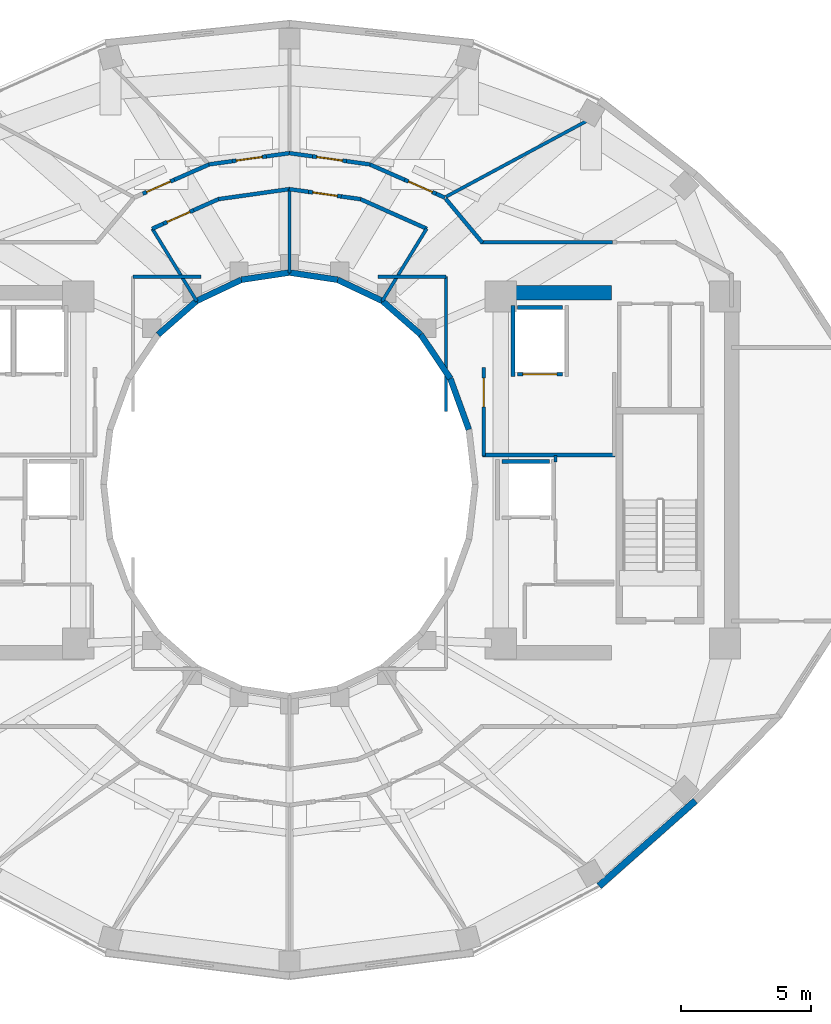
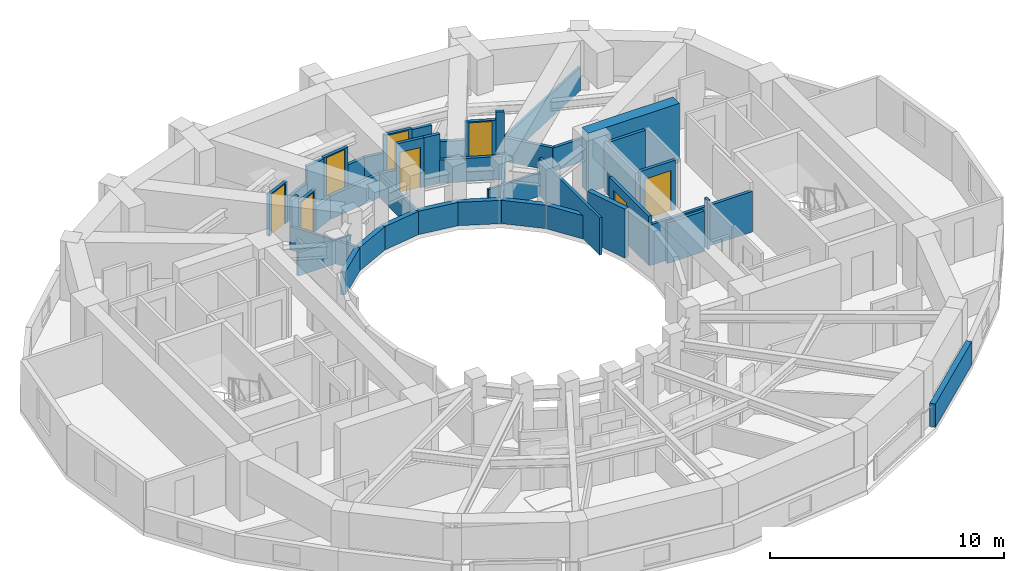
# One storey, part 13 of 17: 45 walls, 8 doors, 8 openings.
"""IFC4 building model written with IfcOpenShell, lengths in metres."""

from ifc_helpers import new_model, si_unit, direction, frame, frame_2d, origin, place, context, subcontext, project, spatial, rectangle, extrude, material, layer, layer_set, type_object, element, fill, save


model = new_model("IFC4")

# Units and contexts
model_context = context("Model", 3, precision=1e-05, world=origin(), true_north=direction((0.0, 1.0)))
body_context = subcontext(model_context, "Body", "Model", "MODEL_VIEW")
ifc_project = project(units=[si_unit("LENGTHUNIT", "METRE"), si_unit("AREAUNIT", "SQUARE_METRE"), si_unit("VOLUMEUNIT", "CUBIC_METRE"), si_unit("PLANEANGLEUNIT", "RADIAN"), si_unit("MASSUNIT", "GRAM", prefix="KILO")], contexts=[model_context])

# Site, building, storey
site_placement = place(None, origin())
site = spatial("IfcSite", under=ifc_project, at=site_placement, CompositionType="ELEMENT")
building_placement = place(site_placement, origin())
building = spatial("IfcBuilding", under=site, at=building_placement, Name="Solvane Sanctuary Tower", CompositionType="ELEMENT")
storey_placement = place(building_placement, frame((0.0, 0.0, 235.699951171875)))
storey = spatial("IfcBuildingStorey", under=building, at=storey_placement, Name="L72", CompositionType="ELEMENT", Elevation=235.699951171875)

# Walls
ifc_material_1 = material(Name="Concrete C50/60", Category="concrete")
ifc_layer_1 = layer(ifc_material_1, 0.550048828125, Name="Concrete C50/60")
ifc_layer_set_1 = layer_set([ifc_layer_1], Name="Concrete C50/60")
wall_type_1 = type_object("IfcWallType", Name="Wall W-CORE-550", PredefinedType="SHEAR", material=ifc_layer_set_1)
wall_1_placement = place(storey_placement, frame((39.85009765625, 30.35009765625, 0.0), z_axis=(0.0, 0.0, 1.0), x_axis=(1.0, 0.0, 0.0)))
element("IfcWall", 1, at=wall_1_placement, inside=storey, type_object=wall_type_1, Name="L72 Core Shear Wall EC-N", PredefinedType="SHEAR", context=body_context, shape_type="SweptSolid", body=[
    extrude(rectangle(XDim=4.5, YDim=0.550048828125, at=frame_2d((2.25, 0.0))), origin(), (0.0, 0.0, 1.0), 3.10009765625),
])
ifc_material_2 = material(Name="Acoustic Gypsum Partition Board")
ifc_layer_2 = layer(ifc_material_2, 0.14990234375, Name="Acoustic Gypsum Partition Board")
ifc_layer_set_2 = layer_set([ifc_layer_2], Name="Acoustic Gypsum Partition Board")
wall_type_2 = type_object("IfcWallType", Name="Wall W-CORR-150", PredefinedType="PARTITIONING", material=ifc_layer_set_2)
wall_2_placement = place(storey_placement, frame((39.39990234375, 24.1201171875, 0.0), z_axis=(0.0, 0.0, 1.0), x_axis=(1.0, 0.0, 0.0)))
element("IfcWall", 2, at=wall_2_placement, inside=storey, type_object=wall_type_2, Name="L72 East Firefighting Lobby South Wall", PredefinedType="PARTITIONING", context=body_context, shape_type="SweptSolid", body=[
    extrude(rectangle(XDim=5.080078125, YDim=0.14990234375, at=frame_2d((2.5400390625, 0.0))), origin(), (0.0, 0.0, 1.0), 2.1201171875),
])

# Wall, opening, door
wall_3_placement = place(storey_placement, frame((39.449951171875, 24.080078125, 0.0), z_axis=(0.0, 0.0, 1.0), x_axis=(0.0, 1.0, 0.0)))
wall_3 = element("IfcWall", 3, at=wall_3_placement, inside=storey, type_object=wall_type_2, Name="L72 East Firefighting Lobby West Wall", PredefinedType="PARTITIONING", context=body_context, shape_type="SweptSolid", body=[
    extrude(rectangle(XDim=3.39990234375, YDim=0.14990234375, at=frame_2d((1.699951171875, 0.0))), origin(), (0.0, 0.0, 1.0), 2.574951171875),
])
opening_1_placement = place(wall_3_placement, frame((1.893798828125, 0.0, 0.0)))
opening_1 = element("IfcOpeningElement", 4, at=opening_1_placement, cuts=wall_3, Name="Opening D-L72-04", PredefinedType="OPENING", context=body_context, shape_type="SweptSolid", body=[
    extrude(rectangle(XDim=1.10009765625, YDim=2.10009765625, at=frame_2d((0.550048828125, 1.050048828125))), frame((0.0, 0.0849609375, 0.0), z_axis=(0.0, -1.0, 0.0), x_axis=(1.0, 0.0, 0.0)), (0.0, 0.0, 1.0), 0.169921875),
])
ifc_material_3 = material(Name="Architectural Stainless Steel 316", Category="steel")
door_type_1 = type_object("IfcDoorType", Name="Door D-FFL", OperationType="NOTDEFINED", PredefinedType="DOOR", material=ifc_material_3)
door_1_placement = place(opening_1_placement, origin())
door_1 = element("IfcDoor", 5, at=door_1_placement, inside=storey, type_object=door_type_1, Name="L72 East Firefighting Lobby Fire Door", OperationType="SINGLE_SWING_RIGHT", OverallHeight=2.10009765625, OverallWidth=1.10009765625, PredefinedType="DOOR", context=body_context, shape_type="SweptSolid", body=[
    extrude(rectangle(XDim=1.10009765625, YDim=2.10009765625, at=frame_2d((0.550048828125, 1.050048828125))), frame((0.0, 0.02490234375, 0.0), z_axis=(0.0, -1.0, 0.0), x_axis=(1.0, 0.0, 0.0)), (0.0, 0.0, 1.0), 0.050048828125),
])
fill(opening_1, door_1)

# Walls
wall_4_placement = place(storey_placement, frame((37.265380859375, 32.797607421875, 0.0), z_axis=(0.0, 0.0, 1.0), x_axis=(-0.913254317828, 0.407389924971, 0.0)))
element("IfcWall", 6, at=wall_4_placement, inside=storey, type_object=wall_type_2, Name="L72 Light-Well Alcove Corridor Wall 1", PredefinedType="PARTITIONING", context=body_context, shape_type="SweptSolid", body=[
    extrude(rectangle(XDim=2.78662109375, YDim=0.14990234375, at=frame_2d((1.393310546875, 0.0))), origin(), (0.0, 0.0, 1.0), 1.219970703125),
])
wall_5_placement = place(storey_placement, frame((34.72412109375, 33.931884765625, 0.0), z_axis=(0.0, 0.0, 1.0), x_axis=(-0.990190745647, 0.13972217875, 0.0)))
element("IfcWall", 7, at=wall_5_placement, inside=storey, type_object=wall_type_2, Name="L72 Light-Well Alcove Corridor Wall 1", PredefinedType="PARTITIONING", context=body_context, shape_type="SweptSolid", body=[
    extrude(rectangle(XDim=0.744384765625, YDim=0.14990234375, at=frame_2d((0.3720703125, 0.0))), origin(), (0.0, 0.0, 1.0), 2.574951171875),
])

# Wall, opening, door
wall_6_placement = place(storey_placement, frame((33.987060546875, 34.035888671875, 0.0), z_axis=(0.0, 0.0, 1.0), x_axis=(-0.990133183593, 0.140129507055, 0.0)))
wall_6 = element("IfcWall", 8, at=wall_6_placement, inside=storey, type_object=wall_type_2, Name="L72 Light-Well Alcove Corridor Wall 1", PredefinedType="PARTITIONING", context=body_context, shape_type="SweptSolid", body=[
    extrude(rectangle(XDim=1.27001953125, YDim=0.14990234375, at=frame_2d((0.635009765625, 0.0))), origin(), (0.0, 0.0, 1.0), 2.574951171875),
])
opening_2_placement = place(wall_6_placement, frame((0.159912109375, 0.0, 0.0)))
opening_2 = element("IfcOpeningElement", 9, at=opening_2_placement, cuts=wall_6, Name="Opening D-L72-13", PredefinedType="OPENING", context=body_context, shape_type="SweptSolid", body=[
    extrude(rectangle(XDim=0.949951171875, YDim=2.10009765625, at=frame_2d((0.47509765625, 1.050048828125))), frame((0.0, 0.0849609375, 0.0), z_axis=(0.0, -1.0, 0.0), x_axis=(1.0, 0.0, 0.0)), (0.0, 0.0, 1.0), 0.169921875),
])
ifc_material_4 = material(Name="Engineered Tropical Hardwood", Category="wood")
door_type_2 = type_object("IfcDoorType", Name="Door D-ROOM-950", OperationType="NOTDEFINED", PredefinedType="DOOR", material=ifc_material_4)
door_2_placement = place(opening_2_placement, origin())
door_2 = element("IfcDoor", 10, at=door_2_placement, inside=storey, type_object=door_type_2, Name="L72 Light-Well Alcove Door 1", OperationType="SINGLE_SWING_LEFT", OverallHeight=2.10009765625, OverallWidth=0.949951171875, PredefinedType="DOOR", context=body_context, shape_type="SweptSolid", body=[
    extrude(rectangle(XDim=0.949951171875, YDim=2.10009765625, at=frame_2d((0.47509765625, 1.050048828125))), frame((0.0, 0.02490234375, 0.0), z_axis=(0.0, -1.0, 0.0), x_axis=(1.0, 0.0, 0.0)), (0.0, 0.0, 1.0), 0.050048828125),
])
fill(opening_2, door_2)

# Walls
wall_7_placement = place(storey_placement, frame((32.7294921875, 34.2138671875, 0.0), z_axis=(0.0, 0.0, 1.0), x_axis=(-0.990138882688, 0.140089232242, 0.0)))
element("IfcWall", 11, at=wall_7_placement, inside=storey, type_object=wall_type_2, Name="L72 Light-Well Alcove Corridor Wall 1", PredefinedType="PARTITIONING", context=body_context, shape_type="SweptSolid", body=[
    extrude(rectangle(XDim=0.744140625, YDim=0.14990234375, at=frame_2d((0.3720703125, 0.0))), origin(), (0.0, 0.0, 1.0), 1.219970703125),
])
wall_8_placement = place(storey_placement, frame((32.00732421875, 34.318115234375, 0.0), z_axis=(0.0, 0.0, 1.0), x_axis=(-0.990150268487, -0.140008734782, 0.0)))
element("IfcWall", 12, at=wall_8_placement, inside=storey, type_object=wall_type_2, Name="L72 Light-Well Alcove Corridor Wall 2", PredefinedType="PARTITIONING", context=body_context, shape_type="SweptSolid", body=[
    extrude(rectangle(XDim=2.758544921875, YDim=0.14990234375, at=frame_2d((1.37939453125, 0.0))), origin(), (0.0, 0.0, 1.0), 1.219970703125),
])
wall_9_placement = place(storey_placement, frame((29.279541015625, 33.932861328125, 0.0), z_axis=(0.0, 0.0, 1.0), x_axis=(-0.913260714955, -0.407375584099, 0.0)))
element("IfcWall", 13, at=wall_9_placement, inside=storey, type_object=wall_type_2, Name="L72 Light-Well Alcove Corridor Wall 2", PredefinedType="PARTITIONING", context=body_context, shape_type="SweptSolid", body=[
    extrude(rectangle(XDim=1.04345703125, YDim=0.14990234375, at=frame_2d((0.521728515625, 0.0))), origin(), (0.0, 0.0, 1.0), 1.219970703125),
])

# Wall, opening, door
wall_10_placement = place(storey_placement, frame((28.32666015625, 33.5078125, 0.0), z_axis=(0.0, 0.0, 1.0), x_axis=(-0.913279660534, -0.40733310896, 0.0)))
wall_10 = element("IfcWall", 14, at=wall_10_placement, inside=storey, type_object=wall_type_2, Name="L72 Light-Well Alcove Corridor Wall 2", PredefinedType="PARTITIONING", context=body_context, shape_type="SweptSolid", body=[
    extrude(rectangle(XDim=1.27001953125, YDim=0.14990234375, at=frame_2d((0.635009765625, 0.0))), origin(), (0.0, 0.0, 1.0), 2.16015625),
])
opening_3_placement = place(wall_10_placement, frame((0.159912109375, 0.0, 0.0)))
opening_3 = element("IfcOpeningElement", 15, at=opening_3_placement, cuts=wall_10, Name="Opening D-L72-14", PredefinedType="OPENING", context=body_context, shape_type="SweptSolid", body=[
    extrude(rectangle(XDim=0.949951171875, YDim=2.10009765625, at=frame_2d((0.47509765625, 1.050048828125))), frame((0.0, 0.0849609375, 0.0), z_axis=(0.0, -1.0, 0.0), x_axis=(1.0, 0.0, 0.0)), (0.0, 0.0, 1.0), 0.169921875),
])
door_3_placement = place(opening_3_placement, origin())
door_3 = element("IfcDoor", 16, at=door_3_placement, inside=storey, type_object=door_type_2, Name="L72 Light-Well Alcove Door 2", OperationType="SINGLE_SWING_RIGHT", OverallHeight=2.10009765625, OverallWidth=0.949951171875, PredefinedType="DOOR", context=body_context, shape_type="SweptSolid", body=[
    extrude(rectangle(XDim=0.949951171875, YDim=2.10009765625, at=frame_2d((0.47509765625, 1.050048828125))), frame((0.0, 0.02490234375, 0.0), z_axis=(0.0, -1.0, 0.0), x_axis=(1.0, 0.0, 0.0)), (0.0, 0.0, 1.0), 0.050048828125),
])
fill(opening_3, door_3)

# Walls
wall_11_placement = place(storey_placement, frame((27.166748046875, 32.990478515625, 0.0), z_axis=(0.0, 0.0, 1.0), x_axis=(-0.913172173043, -0.407574020737, 0.0)))
element("IfcWall", 17, at=wall_11_placement, inside=storey, type_object=wall_type_2, Name="L72 Light-Well Alcove Corridor Wall 2", PredefinedType="PARTITIONING", context=body_context, shape_type="SweptSolid", body=[
    extrude(rectangle(XDim=0.47314453125, YDim=0.14990234375, at=frame_2d((0.236572265625, 0.0))), origin(), (0.0, 0.0, 1.0), 2.574951171875),
])
wall_12_placement = place(storey_placement, frame((37.984130859375, 33.95458984375, 0.0), z_axis=(0.0, 0.0, 1.0), x_axis=(0.64030392053, -0.76812166312, 0.0)))
element("IfcWall", 18, at=wall_12_placement, inside=storey, type_object=wall_type_2, Name="L72 NE Corner Throat Wall", PredefinedType="PARTITIONING", context=body_context, shape_type="SweptSolid", body=[
    extrude(rectangle(XDim=2.2099609375, YDim=0.14990234375, at=frame_2d((1.10498046875, 0.0))), origin(), (0.0, 0.0, 1.0), 1.219970703125),
])
wall_13_placement = place(storey_placement, frame((39.330078125, 32.280029296875, 0.0), z_axis=(0.0, 0.0, 1.0), x_axis=(1.0, 0.0, 0.0)))
element("IfcWall", 19, at=wall_13_placement, inside=storey, type_object=wall_type_2, Name="L72 NE Corner Corridor Wall", PredefinedType="PARTITIONING", context=body_context, shape_type="SweptSolid", body=[
    extrude(rectangle(XDim=5.059814453125, YDim=0.14990234375, at=frame_2d((2.52978515625, 0.0))), origin(), (0.0, 0.0, 1.0), 1.219970703125),
])
wall_14_placement = place(storey_placement, frame((37.956298828125, 33.992431640625, 0.0), z_axis=(0.0, 0.0, 1.0), x_axis=(-0.91474391497, 0.404034119877, 0.0)))
element("IfcWall", 20, at=wall_14_placement, inside=storey, type_object=wall_type_2, Name="L72 Unit Corridor Wall N1", PredefinedType="PARTITIONING", context=body_context, shape_type="SweptSolid", body=[
    extrude(rectangle(XDim=0.3662109375, YDim=0.14990234375, at=frame_2d((0.18310546875, 0.0))), origin(), (0.0, 0.0, 1.0), 2.574951171875),
])

# Wall, opening, door
wall_15_placement = place(storey_placement, frame((37.621337890625, 34.140380859375, 0.0), z_axis=(0.0, 0.0, 1.0), x_axis=(-0.914618215061, 0.404318588094, 0.0)))
wall_15 = element("IfcWall", 21, at=wall_15_placement, inside=storey, type_object=wall_type_2, Name="L72 Unit Corridor Wall N1", PredefinedType="PARTITIONING", context=body_context, shape_type="SweptSolid", body=[
    extrude(rectangle(XDim=1.320068359375, YDim=0.14990234375, at=frame_2d((0.66015625, 0.0))), origin(), (0.0, 0.0, 1.0), 2.16015625),
])
opening_4_placement = place(wall_15_placement, frame((0.159912109375, 0.0, 0.0)))
opening_4 = element("IfcOpeningElement", 22, at=opening_4_placement, cuts=wall_15, Name="Opening D-L72-23", PredefinedType="OPENING", context=body_context, shape_type="SweptSolid", body=[
    extrude(rectangle(XDim=1.0, YDim=2.10009765625, at=frame_2d((0.5, 1.050048828125))), frame((0.0, 0.0849609375, 0.0), z_axis=(0.0, -1.0, 0.0), x_axis=(1.0, 0.0, 0.0)), (0.0, 0.0, 1.0), 0.169921875),
])
door_type_3 = type_object("IfcDoorType", Name="Door D-UNIT", OperationType="NOTDEFINED", PredefinedType="DOOR", material=ifc_material_4)
door_4_placement = place(opening_4_placement, origin())
door_4 = element("IfcDoor", 23, at=door_4_placement, inside=storey, type_object=door_type_3, Name="L72 Unit Entrance Door N1", OperationType="SINGLE_SWING_LEFT", OverallHeight=2.10009765625, OverallWidth=1.0, PredefinedType="DOOR", context=body_context, shape_type="SweptSolid", body=[
    extrude(rectangle(XDim=1.0, YDim=2.10009765625, at=frame_2d((0.5, 1.050048828125))), frame((0.0, 0.02490234375, 0.0), z_axis=(0.0, -1.0, 0.0), x_axis=(1.0, 0.0, 0.0)), (0.0, 0.0, 1.0), 0.050048828125),
])
fill(opening_4, door_4)

# Walls
wall_16_placement = place(storey_placement, frame((36.4140625, 34.674072265625, 0.0), z_axis=(0.0, 0.0, 1.0), x_axis=(-0.914639417368, 0.404270622476, 0.0)))
element("IfcWall", 24, at=wall_16_placement, inside=storey, type_object=wall_type_2, Name="L72 Unit Corridor Wall N1", PredefinedType="PARTITIONING", context=body_context, shape_type="SweptSolid", body=[
    extrude(rectangle(XDim=1.468017578125, YDim=0.14990234375, at=frame_2d((0.73388671875, 0.0))), origin(), (0.0, 0.0, 1.0), 1.219970703125),
])
wall_17_placement = place(storey_placement, frame((35.08740234375, 35.262939453125, 0.0), z_axis=(0.0, 0.0, 1.0), x_axis=(-0.990260655864, 0.139225836137, 0.0)))
element("IfcWall", 25, at=wall_17_placement, inside=storey, type_object=wall_type_2, Name="L72 Unit Corridor Wall N2", PredefinedType="PARTITIONING", context=body_context, shape_type="SweptSolid", body=[
    extrude(rectangle(XDim=0.903076171875, YDim=0.14990234375, at=frame_2d((0.45166015625, 0.0))), origin(), (0.0, 0.0, 1.0), 2.10498046875),
])

# Wall, opening, door
wall_18_placement = place(storey_placement, frame((34.193115234375, 35.388671875, 0.0), z_axis=(0.0, 0.0, 1.0), x_axis=(-0.990279679751, 0.139090459315, 0.0)))
wall_18 = element("IfcWall", 26, at=wall_18_placement, inside=storey, type_object=wall_type_2, Name="L72 Unit Corridor Wall N2", PredefinedType="PARTITIONING", context=body_context, shape_type="SweptSolid", body=[
    extrude(rectangle(XDim=1.320068359375, YDim=0.14990234375, at=frame_2d((0.66015625, 0.0))), origin(), (0.0, 0.0, 1.0), 2.16015625),
])
opening_5_placement = place(wall_18_placement, frame((0.159912109375, 0.0, 0.0)))
opening_5 = element("IfcOpeningElement", 27, at=opening_5_placement, cuts=wall_18, Name="Opening D-L72-24", PredefinedType="OPENING", context=body_context, shape_type="SweptSolid", body=[
    extrude(rectangle(XDim=1.0, YDim=2.10009765625, at=frame_2d((0.5, 1.050048828125))), frame((0.0, 0.0849609375, 0.0), z_axis=(0.0, -1.0, 0.0), x_axis=(1.0, 0.0, 0.0)), (0.0, 0.0, 1.0), 0.169921875),
])
door_5_placement = place(opening_5_placement, origin())
door_5 = element("IfcDoor", 28, at=door_5_placement, inside=storey, type_object=door_type_3, Name="L72 Unit Entrance Door N2", OperationType="SINGLE_SWING_RIGHT", OverallHeight=2.10009765625, OverallWidth=1.0, PredefinedType="DOOR", context=body_context, shape_type="SweptSolid", body=[
    extrude(rectangle(XDim=1.0, YDim=2.10009765625, at=frame_2d((0.5, 1.050048828125))), frame((0.0, 0.02490234375, 0.0), z_axis=(0.0, -1.0, 0.0), x_axis=(1.0, 0.0, 0.0)), (0.0, 0.0, 1.0), 0.050048828125),
])
fill(opening_5, door_5)

# Walls
for number, where, z_axis, x_axis, name in (
    (29, (32.885986328125, 35.572265625, 0.0), (0.0, 0.0, 1.0), (-0.990260655864, 0.139225836137, 0.0), "L72 Unit Corridor Wall N2"),
    (30, (32.00830078125, 35.697998046875, 0.0), (0.0, 0.0, 1.0), (-0.990260655864, -0.139225836137, 0.0), "L72 Unit Corridor Wall N3"),
):
    element("IfcWall", number, at=place(storey_placement, frame(where, z_axis=z_axis, x_axis=x_axis)), inside=storey, type_object=wall_type_2, Name=name, PredefinedType="PARTITIONING", context=body_context, shape_type="SweptSolid", body=[
        extrude(rectangle(XDim=0.903076171875, YDim=0.14990234375, at=frame_2d((0.45166015625, 0.0))), origin(), (0.0, 0.0, 1.0), 1.219970703125),
    ])

# Wall, opening, door
wall_19_placement = place(storey_placement, frame((31.114013671875, 35.572265625, 0.0), z_axis=(0.0, 0.0, 1.0), x_axis=(-0.990279679751, -0.139090459315, 0.0)))
wall_19 = element("IfcWall", 31, at=wall_19_placement, inside=storey, type_object=wall_type_2, Name="L72 Unit Corridor Wall N3", PredefinedType="PARTITIONING", context=body_context, shape_type="SweptSolid", body=[
    extrude(rectangle(XDim=1.320068359375, YDim=0.14990234375, at=frame_2d((0.66015625, 0.0))), origin(), (0.0, 0.0, 1.0), 2.16015625),
])
opening_6_placement = place(wall_19_placement, frame((0.159912109375, 0.0, 0.0)))
opening_6 = element("IfcOpeningElement", 32, at=opening_6_placement, cuts=wall_19, Name="Opening D-L72-25", PredefinedType="OPENING", context=body_context, shape_type="SweptSolid", body=[
    extrude(rectangle(XDim=1.0, YDim=2.10009765625, at=frame_2d((0.5, 1.050048828125))), frame((0.0, 0.0849609375, 0.0), z_axis=(0.0, -1.0, 0.0), x_axis=(1.0, 0.0, 0.0)), (0.0, 0.0, 1.0), 0.169921875),
])
door_6_placement = place(opening_6_placement, origin())
door_6 = element("IfcDoor", 33, at=door_6_placement, inside=storey, type_object=door_type_3, Name="L72 Unit Entrance Door N3", OperationType="SINGLE_SWING_LEFT", OverallHeight=2.10009765625, OverallWidth=1.0, PredefinedType="DOOR", context=body_context, shape_type="SweptSolid", body=[
    extrude(rectangle(XDim=1.0, YDim=2.10009765625, at=frame_2d((0.5, 1.050048828125))), frame((0.0, 0.02490234375, 0.0), z_axis=(0.0, -1.0, 0.0), x_axis=(1.0, 0.0, 0.0)), (0.0, 0.0, 1.0), 0.050048828125),
])
fill(opening_6, door_6)

# Walls
wall_20_placement = place(storey_placement, frame((29.806884765625, 35.388671875, 0.0), z_axis=(0.0, 0.0, 1.0), x_axis=(-0.990260655864, -0.139225836137, 0.0)))
element("IfcWall", 34, at=wall_20_placement, inside=storey, type_object=wall_type_2, Name="L72 Unit Corridor Wall N3", PredefinedType="PARTITIONING", context=body_context, shape_type="SweptSolid", body=[
    extrude(rectangle(XDim=0.903076171875, YDim=0.14990234375, at=frame_2d((0.45166015625, 0.0))), origin(), (0.0, 0.0, 1.0), 2.10498046875),
])
wall_21_placement = place(storey_placement, frame((28.9287109375, 35.267578125, 0.0), z_axis=(0.0, 0.0, 1.0), x_axis=(-0.91466659005, -0.404209140231, 0.0)))
element("IfcWall", 35, at=wall_21_placement, inside=storey, type_object=wall_type_2, Name="L72 Unit Corridor Wall N4", PredefinedType="PARTITIONING", context=body_context, shape_type="SweptSolid", body=[
    extrude(rectangle(XDim=1.46826171875, YDim=0.14990234375, at=frame_2d((0.734130859375, 0.0))), origin(), (0.0, 0.0, 1.0), 1.219970703125),
])

# Wall, opening, door
wall_22_placement = place(storey_placement, frame((27.585693359375, 34.674072265625, 0.0), z_axis=(0.0, 0.0, 1.0), x_axis=(-0.914618215061, -0.404318588094, 0.0)))
wall_22 = element("IfcWall", 36, at=wall_22_placement, inside=storey, type_object=wall_type_2, Name="L72 Unit Corridor Wall N4", PredefinedType="PARTITIONING", context=body_context, shape_type="SweptSolid", body=[
    extrude(rectangle(XDim=1.320068359375, YDim=0.14990234375, at=frame_2d((0.66015625, 0.0))), origin(), (0.0, 0.0, 1.0), 2.16015625),
])
opening_7_placement = place(wall_22_placement, frame((0.159912109375, 0.0, 0.0)))
opening_7 = element("IfcOpeningElement", 37, at=opening_7_placement, cuts=wall_22, Name="Opening D-L72-26", PredefinedType="OPENING", context=body_context, shape_type="SweptSolid", body=[
    extrude(rectangle(XDim=1.0, YDim=2.10009765625, at=frame_2d((0.5, 1.050048828125))), frame((0.0, 0.0849609375, 0.0), z_axis=(0.0, -1.0, 0.0), x_axis=(1.0, 0.0, 0.0)), (0.0, 0.0, 1.0), 0.169921875),
])
door_7_placement = place(opening_7_placement, origin())
door_7 = element("IfcDoor", 38, at=door_7_placement, inside=storey, type_object=door_type_3, Name="L72 Unit Entrance Door N4", OperationType="SINGLE_SWING_RIGHT", OverallHeight=2.10009765625, OverallWidth=1.0, PredefinedType="DOOR", context=body_context, shape_type="SweptSolid", body=[
    extrude(rectangle(XDim=1.0, YDim=2.10009765625, at=frame_2d((0.5, 1.050048828125))), frame((0.0, 0.02490234375, 0.0), z_axis=(0.0, -1.0, 0.0), x_axis=(1.0, 0.0, 0.0)), (0.0, 0.0, 1.0), 0.050048828125),
])
fill(opening_7, door_7)

# Walls
ifc_material_5 = material(Name="Precast concrete C40/50", Category="concrete")
ifc_layer_3 = layer(ifc_material_5, 0.260009765625, Name="Precast concrete C40/50")
ifc_layer_set_3 = layer_set([ifc_layer_3], Name="Precast concrete C40/50")
wall_type_3 = type_object("IfcWallType", Name="Wall W-EXT-250", PredefinedType="STANDARD", material=ifc_layer_set_3)
wall_23_placement = place(storey_placement, frame((43.8701171875, 7.600830078125, 0.0), z_axis=(0.0, 0.0, 1.0), x_axis=(0.748165854006, 0.663511759428, 0.0)))
element("IfcWall", 39, at=wall_23_placement, inside=storey, type_object=wall_type_3, Name="L72 Ceramic-Printed Facade Wall 20", PredefinedType="STANDARD", context=body_context, shape_type="SweptSolid", body=[
    extrude(rectangle(XDim=4.9287109375, YDim=0.260009765625, at=frame_2d((2.46435546875, 0.0))), origin(), (0.0, 0.0, 1.0), 1.219970703125),
])
ifc_layer_4 = layer(ifc_material_5, 0.22998046875, Name="Precast concrete C40/50")
ifc_layer_set_4 = layer_set([ifc_layer_4], Name="Precast concrete C40/50")
wall_type_4 = type_object("IfcWallType", Name="Wall W-EXT-SP220", PredefinedType="STANDARD", material=ifc_layer_set_4)
wall_24_placement = place(storey_placement, frame((38.87744140625, 25.1015625, 0.0), z_axis=(0.0, 0.0, 1.0), x_axis=(-0.341423187295, 0.93990968033, 0.0)))
element("IfcWall", 40, at=wall_24_placement, inside=storey, type_object=wall_type_4, Name="L72 Central Light-Well Wall 01", PredefinedType="STANDARD", context=body_context, shape_type="SweptSolid", body=[
    extrude(rectangle(XDim=2.083740234375, YDim=0.22998046875, at=frame_2d((1.0419921875, 0.0))), origin(), (0.0, 0.0, 1.0), 2.56005859375),
])
wall_25_placement = place(storey_placement, frame((38.166015625, 27.06005859375, 0.0), z_axis=(0.0, 0.0, 1.0), x_axis=(-0.558197800898, 0.829707909492, 0.0)))
element("IfcWall", 41, at=wall_25_placement, inside=storey, type_object=wall_type_4, Name="L72 Central Light-Well Wall 02", PredefinedType="STANDARD", context=body_context, shape_type="SweptSolid", body=[
    extrude(rectangle(XDim=2.02685546875, YDim=0.22998046875, at=frame_2d((1.013427734375, 0.0))), origin(), (0.0, 0.0, 1.0), 1.219970703125),
])
wall_26_placement = place(storey_placement, frame((37.03466796875, 28.74169921875, 0.0), z_axis=(0.0, 0.0, 1.0), x_axis=(-0.752576694707, 0.658504607869, 0.0)))
element("IfcWall", 42, at=wall_26_placement, inside=storey, type_object=wall_type_4, Name="L72 Central Light-Well Wall 03", PredefinedType="STANDARD", context=body_context, shape_type="SweptSolid", body=[
    extrude(rectangle(XDim=1.95947265625, YDim=0.22998046875, at=frame_2d((0.979736328125, 0.0))), origin(), (0.0, 0.0, 1.0), 1.219970703125),
])
wall_27_placement = place(storey_placement, frame((35.56005859375, 30.031982421875, 0.0), z_axis=(0.0, 0.0, 1.0), x_axis=(-0.904179699603, 0.427152280606, 0.0)))
element("IfcWall", 43, at=wall_27_placement, inside=storey, type_object=wall_type_4, Name="L72 Central Light-Well Wall 04", PredefinedType="STANDARD", context=body_context, shape_type="SweptSolid", body=[
    extrude(rectangle(XDim=1.899169921875, YDim=0.22998046875, at=frame_2d((0.94970703125, 0.0))), origin(), (0.0, 0.0, 1.0), 1.219970703125),
])
for number, where, z_axis, x_axis, name in (
    (44, (33.8427734375, 30.84326171875, 0.0), (0.0, 0.0, 1.0), (-0.988901730308, 0.148571086668, 0.0), "L72 Central Light-Well Wall 05"),
    (45, (32.0, 31.1201171875, 0.0), (0.0, 0.0, 1.0), (-0.988901730308, -0.148571086668, 0.0), "L72 Central Light-Well Wall 06"),
):
    element("IfcWall", number, at=place(storey_placement, frame(where, z_axis=z_axis, x_axis=x_axis)), inside=storey, type_object=wall_type_4, Name=name, PredefinedType="STANDARD", context=body_context, shape_type="SweptSolid", body=[
        extrude(rectangle(XDim=1.863525390625, YDim=0.22998046875, at=frame_2d((0.931640625, 0.0))), origin(), (0.0, 0.0, 1.0), 1.219970703125),
    ])
wall_28_placement = place(storey_placement, frame((30.1572265625, 30.84326171875, 0.0), z_axis=(0.0, 0.0, 1.0), x_axis=(-0.904179699603, -0.427152280606, 0.0)))
element("IfcWall", 46, at=wall_28_placement, inside=storey, type_object=wall_type_4, Name="L72 Central Light-Well Wall 07", PredefinedType="STANDARD", context=body_context, shape_type="SweptSolid", body=[
    extrude(rectangle(XDim=1.899169921875, YDim=0.22998046875, at=frame_2d((0.94970703125, 0.0))), origin(), (0.0, 0.0, 1.0), 1.219970703125),
])
wall_29_placement = place(storey_placement, frame((28.43994140625, 30.031982421875, 0.0), z_axis=(0.0, 0.0, 1.0), x_axis=(-0.752576694707, -0.658504607869, 0.0)))
element("IfcWall", 47, at=wall_29_placement, inside=storey, type_object=wall_type_4, Name="L72 Central Light-Well Wall 08", PredefinedType="STANDARD", context=body_context, shape_type="SweptSolid", body=[
    extrude(rectangle(XDim=1.95947265625, YDim=0.22998046875, at=frame_2d((0.979736328125, 0.0))), origin(), (0.0, 0.0, 1.0), 1.219970703125),
])
ifc_layer_5 = layer(ifc_material_2, 0.125, Name="Acoustic Gypsum Partition Board")
ifc_layer_set_5 = layer_set([ifc_layer_5], Name="Acoustic Gypsum Partition Board")
wall_type_5 = type_object("IfcWallType", Name="Wall W-PART-125", PredefinedType="PARTITIONING", material=ifc_layer_set_5)
wall_30_placement = place(storey_placement, frame((42.199951171875, 23.85009765625, 0.0), z_axis=(0.0, 0.0, 1.0), x_axis=(0.0, 1.0, 0.0)))
element("IfcWall", 48, at=wall_30_placement, inside=storey, type_object=wall_type_5, Name="L72 Reclaimed Room Dividing Wall PME", PredefinedType="PARTITIONING", context=body_context, shape_type="SweptSolid", body=[
    extrude(rectangle(XDim=0.25, YDim=0.125, at=frame_2d((0.125, 0.0))), origin(), (0.0, 0.0, 1.0), 2.574951171875),
])
wall_31_placement = place(storey_placement, frame((35.550048828125, 30.014892578125, 0.0), z_axis=(0.0, 0.0, 1.0), x_axis=(0.522763432117, 0.852477796802, 0.0)))
element("IfcWall", 49, at=wall_31_placement, inside=storey, type_object=wall_type_5, Name="L72 Light-Well Alcove Radial Wall 60", PredefinedType="PARTITIONING", context=body_context, shape_type="SweptSolid", body=[
    extrude(rectangle(XDim=3.26904296875, YDim=0.125, at=frame_2d((1.634521484375, 0.0))), origin(), (0.0, 0.0, 1.0), 1.219970703125),
])
wall_32_placement = place(storey_placement, frame((32.0, 31.10009765625, 0.0), z_axis=(0.0, 0.0, 1.0), x_axis=(0.0, 1.0, 0.0)))
element("IfcWall", 50, at=wall_32_placement, inside=storey, type_object=wall_type_5, Name="L72 Light-Well Alcove Radial Wall 90", PredefinedType="PARTITIONING", context=body_context, shape_type="SweptSolid", body=[
    extrude(rectangle(XDim=3.218017578125, YDim=0.125, at=frame_2d((1.60888671875, 0.0))), origin(), (0.0, 0.0, 1.0), 1.219970703125),
])
wall_33_placement = place(storey_placement, frame((28.449951171875, 30.014892578125, 0.0), z_axis=(0.0, 0.0, 1.0), x_axis=(-0.522763432117, 0.852477796802, 0.0)))
element("IfcWall", 51, at=wall_33_placement, inside=storey, type_object=wall_type_5, Name="L72 Light-Well Alcove Radial Wall 120", PredefinedType="PARTITIONING", context=body_context, shape_type="SweptSolid", body=[
    extrude(rectangle(XDim=3.26904296875, YDim=0.125, at=frame_2d((1.634521484375, 0.0))), origin(), (0.0, 0.0, 1.0), 1.219970703125),
])
wall_34_placement = place(storey_placement, frame((26.0, 30.9599609375, 0.0), z_axis=(0.0, 0.0, 1.0), x_axis=(1.0, 0.0, 0.0)))
element("IfcWall", 52, at=wall_34_placement, inside=storey, type_object=wall_type_5, Name="L72 Bridge Alcove Wall 2", PredefinedType="PARTITIONING", context=body_context, shape_type="SweptSolid", body=[
    extrude(rectangle(XDim=2.60009765625, YDim=0.125, at=frame_2d((1.300048828125, 0.0))), origin(), (0.0, 0.0, 1.0), 1.219970703125),
])
wall_35_placement = place(storey_placement, frame((38.0, 25.800048828125, 0.0), z_axis=(0.0, 0.0, 1.0), x_axis=(0.0, 1.0, 0.0)))
element("IfcWall", 53, at=wall_35_placement, inside=storey, type_object=wall_type_5, Name="L72 Bridge Alcove Wall 3", PredefinedType="PARTITIONING", context=body_context, shape_type="SweptSolid", body=[
    extrude(rectangle(XDim=5.159912109375, YDim=0.125, at=frame_2d((2.580078125, 0.0))), origin(), (0.0, 0.0, 1.0), 1.9521484375),
])
wall_36_placement = place(storey_placement, frame((35.39990234375, 30.9599609375, 0.0), z_axis=(0.0, 0.0, 1.0), x_axis=(1.0, 0.0, 0.0)))
element("IfcWall", 54, at=wall_36_placement, inside=storey, type_object=wall_type_5, Name="L72 Bridge Alcove Wall 4", PredefinedType="PARTITIONING", context=body_context, shape_type="SweptSolid", body=[
    extrude(rectangle(XDim=2.60009765625, YDim=0.125, at=frame_2d((1.300048828125, 0.0))), origin(), (0.0, 0.0, 1.0), 1.219970703125),
])
wall_37_placement = place(storey_placement, frame((37.997314453125, 34.02294921875, 0.0), z_axis=(0.0, 0.0, 1.0), x_axis=(0.880531534665, 0.473987569943, 0.0)))
element("IfcWall", 55, at=wall_37_placement, inside=storey, type_object=wall_type_5, Name="L72 Radial Compartment Wall 060", PredefinedType="PARTITIONING", context=body_context, shape_type="SweptSolid", body=[
    extrude(rectangle(XDim=6.095947265625, YDim=0.125, at=frame_2d((3.0478515625, 0.0))), origin(), (0.0, 0.0, 1.0), 1.219970703125),
])
ifc_layer_6 = layer(ifc_material_1, 0.14990234375, Name="Concrete C50/60")
ifc_layer_set_6 = layer_set([ifc_layer_6], Name="Concrete C50/60")
wall_type_6 = type_object("IfcWallType", Name="Wall W-SHAFT-150", PredefinedType="SOLIDWALL", material=ifc_layer_set_6)
wall_38_placement = place(storey_placement, frame((40.139892578125, 23.8798828125, 0.0), z_axis=(0.0, 0.0, 1.0), x_axis=(1.0, 0.0, 0.0)))
element("IfcWall", 56, at=wall_38_placement, inside=storey, type_object=wall_type_6, Name="L72 PH-2 Lift Shaft Wall B", PredefinedType="SOLIDWALL", context=body_context, shape_type="SweptSolid", body=[
    extrude(rectangle(XDim=1.820068359375, YDim=0.14990234375, at=frame_2d((0.91015625, 0.0))), origin(), (0.0, 0.0, 1.0), 2.1201171875),
])

# Wall, opening, door
wall_39_placement = place(storey_placement, frame((40.739990234375, 27.219970703125, 0.0), z_axis=(0.0, 0.0, 1.0), x_axis=(1.0, 0.0, 0.0)))
wall_39 = element("IfcWall", 57, at=wall_39_placement, inside=storey, type_object=wall_type_6, Name="L72 FFL-2 Lift Shaft Wall F", PredefinedType="SOLIDWALL", context=body_context, shape_type="SweptSolid", body=[
    extrude(rectangle(XDim=1.719970703125, YDim=0.14990234375, at=frame_2d((0.85986328125, 0.0))), origin(), (0.0, 0.0, 1.0), 2.574951171875),
])
opening_8_placement = place(wall_39_placement, frame((0.2099609375, 0.0, 0.0)))
opening_8 = element("IfcOpeningElement", 58, at=opening_8_placement, cuts=wall_39, Name="Opening LD-L72-05", PredefinedType="OPENING", context=body_context, shape_type="SweptSolid", body=[
    extrude(rectangle(XDim=1.300048828125, YDim=2.10009765625, at=frame_2d((0.64990234375, 1.050048828125))), frame((0.0, 0.0849609375, 0.0), z_axis=(0.0, -1.0, 0.0), x_axis=(1.0, 0.0, 0.0)), (0.0, 0.0, 1.0), 0.169921875),
])
door_type_4 = type_object("IfcDoorType", Name="Door LD-FFL-1300", OperationType="NOTDEFINED", PredefinedType="DOOR", material=ifc_material_3)
door_8_placement = place(opening_8_placement, origin())
door_8 = element("IfcDoor", 59, at=door_8_placement, inside=storey, type_object=door_type_4, Name="L72 FFL-2 Lift Landing Door", OperationType="DOUBLE_DOOR_SLIDING", OverallHeight=2.10009765625, OverallWidth=1.300048828125, PredefinedType="DOOR", context=body_context, shape_type="SweptSolid", body=[
    extrude(rectangle(XDim=1.300048828125, YDim=2.10009765625, at=frame_2d((0.64990234375, 1.050048828125))), frame((0.0, 0.02490234375, 0.0), z_axis=(0.0, -1.0, 0.0), x_axis=(1.0, 0.0, 0.0)), (0.0, 0.0, 1.0), 0.050048828125),
])
fill(opening_8, door_8)

# Walls
wall_40_placement = place(storey_placement, frame((40.739990234375, 29.780029296875, 0.0), z_axis=(0.0, 0.0, 1.0), x_axis=(1.0, 0.0, 0.0)))
element("IfcWall", 60, at=wall_40_placement, inside=storey, type_object=wall_type_6, Name="L72 FFL-2 Lift Shaft Wall B", PredefinedType="SOLIDWALL", context=body_context, shape_type="SweptSolid", body=[
    extrude(rectangle(XDim=1.719970703125, YDim=0.14990234375, at=frame_2d((0.85986328125, 0.0))), origin(), (0.0, 0.0, 1.0), 2.574951171875),
])
wall_41_placement = place(storey_placement, frame((40.570068359375, 27.139892578125, 0.0), z_axis=(0.0, 0.0, 1.0), x_axis=(0.0, 1.0, 0.0)))
element("IfcWall", 61, at=wall_41_placement, inside=storey, type_object=wall_type_6, Name="L72 FFL-2 Lift Shaft Wall S1", PredefinedType="SOLIDWALL", context=body_context, shape_type="SweptSolid", body=[
    extrude(rectangle(XDim=2.72021484375, YDim=0.14990234375, at=frame_2d((1.360107421875, 0.0))), origin(), (0.0, 0.0, 1.0), 2.574951171875),
])

save(model, "model.ifc")
